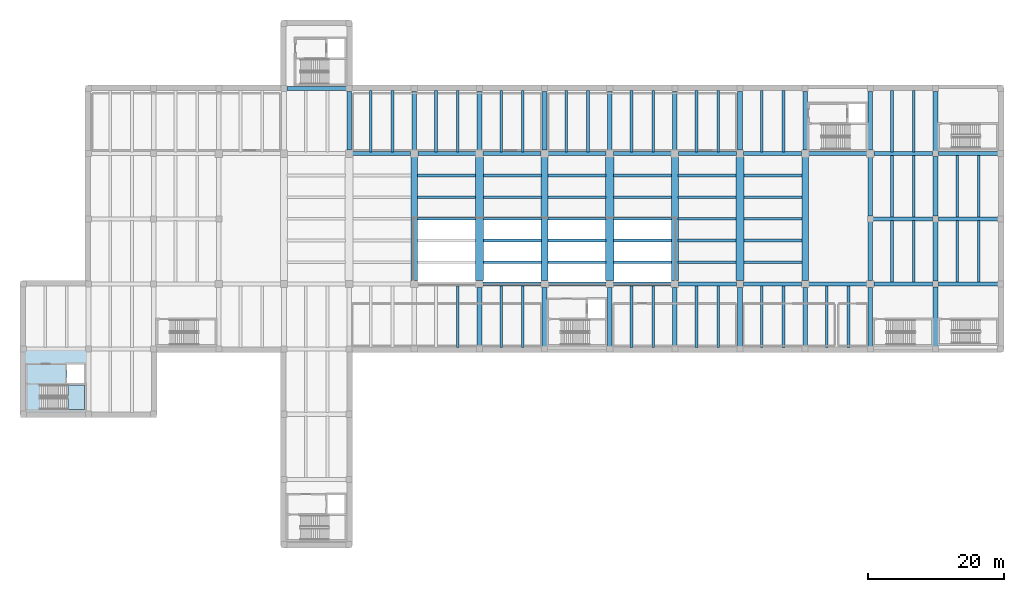
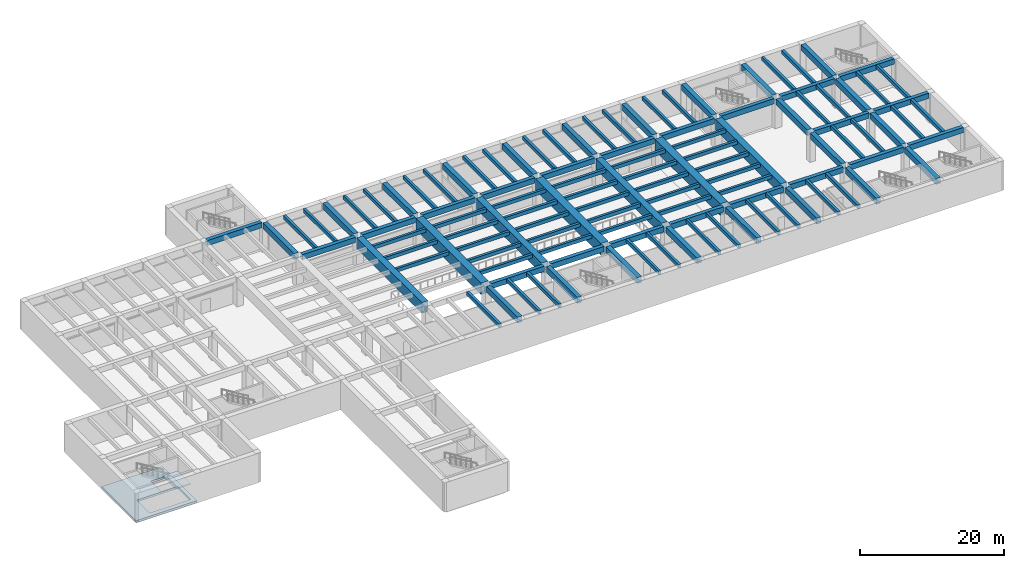
# One storey, part 2 of 19: 113 beams, 2 slabs, 1 element without a shape of its own.
"""IFC4 building model written with IfcOpenShell, lengths in metres."""

import ifcopenshell
import ifcopenshell.guid

model = None  # the IFC model being written
_history = None  # IfcOwnerHistory: only IFC2X3 demands one
_inside = {}  # id of a spatial element -> (the spatial element, [elements in it])
_under = {}  # id of a project, library or spatial element -> (it, [spatial elements below it])
_declared = {}  # id of a project -> (the project, [libraries it declares])
_typed = {}  # id of a type object -> (the type object, [elements of that type])
_made_of = {}  # id of a material, layer set ... -> (it, [elements and type objects made of it])


def new_model(schema):
    """Start an empty IFC model of exactly this schema.

    Asked for "IFC4X3", IfcOpenShell would pick the latest addendum, in which some entities
    have other attributes; the version numbers below select the first issue.
    IFC2X3 requires an IfcOwnerHistory on every rooted entity: one is made here for all.
    """
    global model, _history
    if schema == "IFC4X3":
        model = ifcopenshell.file(schema_version=(4, 3, 0, 0))
    else:
        model = ifcopenshell.file(schema=schema)
    _inside.clear()
    _under.clear()
    _declared.clear()
    _typed.clear()
    _made_of.clear()
    _history = None
    if model.schema == "IFC2X3":
        org = make("IfcOrganization", Name="unknown")
        user = make(
            "IfcPersonAndOrganization",
            ThePerson=make("IfcPerson", FamilyName="unknown"),
            TheOrganization=org,
        )
        app = make(
            "IfcApplication",
            ApplicationDeveloper=org,
            Version="unknown",
            ApplicationFullName="unknown",
            ApplicationIdentifier="unknown",
        )
        _history = make(
            "IfcOwnerHistory",
            OwningUser=user,
            OwningApplication=app,
            ChangeAction="ADDED",
            CreationDate=0,
        )
    return model


def make(cls, **values):
    """One entity of the class cls with the attributes given. An attribute that is None is left unset."""
    return model.create_entity(
        cls, **{name: value for name, value in values.items() if value is not None}
    )


def rooted(cls, **values):
    """An entity with a GlobalId (a new one), such as an element, a storey or a relation."""
    return make(cls, GlobalId=ifcopenshell.guid.new(), OwnerHistory=_history, **values)


def si_unit(unit_type, name, prefix=None):
    """IfcSIUnit, for example si_unit("LENGTHUNIT", "METRE", prefix="MILLI")."""
    return make("IfcSIUnit", UnitType=unit_type, Prefix=prefix, Name=name)


def assignment(units):
    """IfcUnitAssignment: the units of a project."""
    return None if units is None else make("IfcUnitAssignment", Units=units)


def point(xyz):
    """IfcCartesianPoint."""
    return None if xyz is None else make("IfcCartesianPoint", Coordinates=xyz)


def direction(xyz):
    """IfcDirection."""
    return None if xyz is None else make("IfcDirection", DirectionRatios=xyz)


def frame(location, z_axis=None, x_axis=None):
    """IfcAxis2Placement3D, a coordinate frame: its origin and axes. An axis left out is left unset."""
    return make(
        "IfcAxis2Placement3D",
        Location=point(location),
        Axis=direction(z_axis),
        RefDirection=direction(x_axis),
    )


def frame_2d(location, x_axis=None):
    """IfcAxis2Placement2D, a coordinate frame in the plane: its origin and x axis."""
    return make(
        "IfcAxis2Placement2D", Location=point(location), RefDirection=direction(x_axis)
    )


def origin():
    """The frame at (0, 0, 0) with its axes left unset."""
    return frame((0.0, 0.0, 0.0))


def origin_2d():
    """The frame at (0, 0) in the plane with its x axis left unset."""
    return frame_2d((0.0, 0.0))


def place(relative_to, where):
    """IfcLocalPlacement: puts the frame where relative to a parent placement (None: the world)."""
    return make(
        "IfcLocalPlacement", PlacementRelTo=relative_to, RelativePlacement=where
    )


def context(
    kind, dimensions, precision=None, world=None, true_north=None, identifier=None
):
    """IfcGeometricRepresentationContext, for example the 3D "Model" context."""
    return make(
        "IfcGeometricRepresentationContext",
        ContextIdentifier=identifier,
        ContextType=kind,
        CoordinateSpaceDimension=dimensions,
        Precision=precision,
        WorldCoordinateSystem=world,
        TrueNorth=true_north,
    )


def subcontext(parent, identifier, kind, view, scale=None):
    """IfcGeometricRepresentationSubContext, for example "Body" below "Model"."""
    return make(
        "IfcGeometricRepresentationSubContext",
        ContextIdentifier=identifier,
        ContextType=kind,
        ParentContext=parent,
        TargetScale=scale,
        TargetView=view,
    )


def project(units=None, contexts=None):
    """IfcProject with its units and contexts."""
    return rooted(
        "IfcProject",
        Name="project",
        RepresentationContexts=contexts,
        UnitsInContext=assignment(units),
    )


def spatial(cls, under=None, at=None, **own):
    """A site, building, storey or space (cls), placed at a placement, below another one or the project."""
    s = rooted(cls, ObjectPlacement=at, **own)
    if under is not None:
        _under.setdefault(under.id(), (under, []))[1].append(s)
    return s


def polyline(points):
    """IfcPolyline through the points."""
    return make("IfcPolyline", Points=[point(p) for p in points])


def profile(cls, at=None, kind="AREA", **sizes):
    """A parametric profile (cls). Its sizes go by their IFC names, for example OverallWidth=200.0."""
    return make(cls, ProfileType=kind, Position=at, **sizes)


def rectangle(**sizes):
    """IfcRectangleProfileDef."""
    return profile("IfcRectangleProfileDef", **sizes)


def outline(outer, holes=None, kind="AREA"):
    """IfcArbitraryClosedProfileDef: a profile drawn as a closed curve; with holes, ...WithVoids."""
    if holes is None:
        return make("IfcArbitraryClosedProfileDef", ProfileType=kind, OuterCurve=outer)
    return make(
        "IfcArbitraryProfileDefWithVoids",
        ProfileType=kind,
        OuterCurve=outer,
        InnerCurves=holes,
    )


def extrude(swept, where, along, depth):
    """IfcExtrudedAreaSolid: the profile swept, set in the frame where, extruded along a direction by depth."""
    return make(
        "IfcExtrudedAreaSolid",
        SweptArea=swept,
        Position=where,
        ExtrudedDirection=direction(along),
        Depth=depth,
    )


def shape(context_of_items, identifier, shape_type, items):
    """IfcShapeRepresentation: the items that make up one representation, for example the "Body"."""
    return make(
        "IfcShapeRepresentation",
        ContextOfItems=context_of_items,
        RepresentationIdentifier=identifier,
        RepresentationType=shape_type,
        Items=items,
    )


def material(Name=None, Category=None):
    """IfcMaterial."""
    return make("IfcMaterial", Name=Name, Category=Category)


def layer(
    of_material, thickness, ventilated=None, Name=None, Category=None, Priority=None
):
    """IfcMaterialLayer: one layer of a wall or slab, of a material (None: an air gap)."""
    return make(
        "IfcMaterialLayer",
        Material=of_material,
        LayerThickness=thickness,
        IsVentilated=ventilated,
        Name=Name,
        Category=Category,
        Priority=Priority,
    )


def layer_set(layers, Name=None):
    """IfcMaterialLayerSet."""
    return make("IfcMaterialLayerSet", MaterialLayers=layers, LayerSetName=Name)


def material_profile(
    of_material, cross_section, Name=None, Category=None, Priority=None
):
    """IfcMaterialProfile: a cross section and its material."""
    return make(
        "IfcMaterialProfile",
        Name=Name,
        Material=of_material,
        Profile=cross_section,
        Priority=Priority,
        Category=Category,
    )


def profile_set(profiles, Name=None, composite=None):
    """IfcMaterialProfileSet."""
    return make(
        "IfcMaterialProfileSet",
        Name=Name,
        MaterialProfiles=profiles,
        CompositeProfile=composite,
    )


def made_of(thing, what):
    """Note that an element or type object is made of a material, layer set ...; save() writes the relation."""
    if what is not None:
        _made_of.setdefault(what.id(), (what, []))[1].append(thing)
    return thing


def type_object(cls, material=None, **own):
    """A type object (cls), such as IfcWallType, which elements share."""
    return made_of(rooted(cls, **own), material)


def element(
    cls,
    number,
    at=None,
    inside=None,
    cuts=None,
    type_object=None,
    material=None,
    context=None,
    identifier="Body",
    shape_type=None,
    held_by="IfcProductDefinitionShape",
    body=None,
    shapes=None,
    **own,
):
    """One element of the class cls, such as IfcWall. Its Tag is "e" and its number.

    at: its placement. inside: the storey or other place that contains it. cuts: it is an
    opening in that element (IfcRelVoidsElement). A single representation is given by context,
    identifier, shape_type and body (its items); several are given by shapes. held_by: the class
    of the entity that holds the representations. save() writes the other relations.
    """
    e = rooted(cls, Tag="e%d" % number, ObjectPlacement=at, **own)
    if body is not None:
        shapes = [shape(context, identifier, shape_type, body)]
    if shapes is not None:
        e.Representation = make(held_by, Representations=shapes)
    if inside is not None:
        _inside.setdefault(inside.id(), (inside, []))[1].append(e)
    if cuts is not None:
        rooted(
            "IfcRelVoidsElement", RelatingBuildingElement=cuts, RelatedOpeningElement=e
        )
    if type_object is not None:
        _typed.setdefault(type_object.id(), (type_object, []))[1].append(e)
    return made_of(e, material)


def aggregate(whole, parts):
    """IfcRelAggregates: a whole, such as a stair, and the parts it consists of."""
    return rooted("IfcRelAggregates", RelatingObject=whole, RelatedObjects=parts)


def save(model, path):
    """Write the relations noted so far, then the file.

    IfcRelAggregates (storeys below a building ...), IfcRelContainedInSpatialStructure (elements
    in a storey), IfcRelDefinesByType, IfcRelAssociatesMaterial and IfcRelDeclares: one each for
    every whole, place, type object, material and project.
    """
    for whole, parts in _under.values():
        aggregate(whole, parts)
    for where, things in _inside.values():
        rooted(
            "IfcRelContainedInSpatialStructure",
            RelatedElements=things,
            RelatingStructure=where,
        )
    for kind, things in _typed.values():
        rooted("IfcRelDefinesByType", RelatedObjects=things, RelatingType=kind)
    for what, things in _made_of.values():
        rooted("IfcRelAssociatesMaterial", RelatedObjects=things, RelatingMaterial=what)
    for by, libraries in _declared.values():
        rooted("IfcRelDeclares", RelatingContext=by, RelatedDefinitions=libraries)
    model.write(path)


model = new_model("IFC4")

# Units and contexts
model_context = context("Model", 3, precision=1e-05, world=origin(), true_north=direction((0.0, 1.0)))
body_context = subcontext(model_context, "Body", "Model", "MODEL_VIEW")
ifc_project = project(units=[si_unit("LENGTHUNIT", "METRE"), si_unit("AREAUNIT", "SQUARE_METRE"), si_unit("VOLUMEUNIT", "CUBIC_METRE"), si_unit("PLANEANGLEUNIT", "RADIAN"), si_unit("MASSUNIT", "GRAM", prefix="KILO")], contexts=[model_context])

# Site, building, storey
site_placement = place(None, origin())
site = spatial("IfcSite", under=ifc_project, at=site_placement, CompositionType="ELEMENT")
building_placement = place(site_placement, origin())
building = spatial("IfcBuilding", under=site, at=building_placement, Name="Coralgate Yard Interchange", CompositionType="ELEMENT")
storey_placement = place(building_placement, frame((0.0, 0.0, -5.39990234375)))
storey = spatial("IfcBuildingStorey", under=building, at=storey_placement, Name="B1", CompositionType="ELEMENT", Elevation=-5.39990234375)

# Beams
ifc_material = material(Name="Concrete C40/50", Category="concrete")
ifc_material_profile_1 = material_profile(ifc_material, rectangle(XDim=0.699951171875, YDim=1.0, at=origin_2d()), Name="RC 700x1000")
ifc_profile_set_1 = profile_set([ifc_material_profile_1], Name="Concrete C40/50")
beam_type_1 = type_object("IfcBeamType", Name="BM-CB-2", PredefinedType="BEAM", material=ifc_profile_set_1)
for number, where, z_axis, x_axis, name in (
    (1, (57.60009765625, 67.719970703125, 4.5), (0.0, 1.0, 0.0), (-1.0, 0.0, 0.0), "B1 primary grid girder X6 Y7-8"),
    (2, (67.199951171875, 67.719970703125, 4.5), (0.0, 1.0, 0.0), (-1.0, 0.0, 0.0), "B1 primary grid girder X7 Y7-8"),
    (3, (76.800048828125, 38.820068359375, 4.5), (0.0, 1.0, 0.0), (-1.0, 0.0, 0.0), "B1 primary grid girder X8 Y4-5"),
    (4, (76.800048828125, 67.719970703125, 4.5), (0.0, 1.0, 0.0), (-1.0, 0.0, 0.0), "B1 primary grid girder X8 Y7-8"),
    (5, (86.39990234375, 38.820068359375, 4.5), (0.0, 1.0, 0.0), (-1.0, 0.0, 0.0), "B1 primary grid girder X9 Y4-5"),
    (6, (86.39990234375, 67.719970703125, 4.5), (0.0, 1.0, 0.0), (-1.0, 0.0, 0.0), "B1 primary grid girder X9 Y7-8"),
    (7, (96.0, 38.820068359375, 4.5), (0.0, 1.0, 0.0), (-1.0, 0.0, 0.0), "B1 primary grid girder X10 Y4-5"),
    (8, (96.0, 67.719970703125, 4.5), (0.0, 1.0, 0.0), (-1.0, 0.0, 0.0), "B1 primary grid girder X10 Y7-8"),
    (9, (105.60009765625, 38.820068359375, 4.5), (0.0, 1.0, 0.0), (-1.0, 0.0, 0.0), "B1 primary grid girder X11 Y4-5"),
    (10, (105.60009765625, 67.719970703125, 4.5), (0.0, 1.0, 0.0), (-1.0, 0.0, 0.0), "B1 primary grid girder X11 Y7-8"),
    (11, (115.199951171875, 38.820068359375, 4.5), (0.0, 1.0, 0.0), (-1.0, 0.0, 0.0), "B1 primary grid girder X12 Y4-5"),
    (12, (115.199951171875, 67.719970703125, 4.5), (0.0, 1.0, 0.0), (-1.0, 0.0, 0.0), "B1 primary grid girder X12 Y7-8"),
    (13, (124.800048828125, 38.820068359375, 4.5), (0.0, 1.0, 0.0), (-1.0, 0.0, 0.0), "B1 primary grid girder X13 Y4-5"),
    (14, (124.800048828125, 67.719970703125, 4.5), (0.0, 1.0, 0.0), (-1.0, 0.0, 0.0), "B1 primary grid girder X13 Y7-8"),
    (15, (134.39990234375, 38.820068359375, 4.5), (0.0, 1.0, 0.0), (-1.0, 0.0, 0.0), "B1 primary grid girder X14 Y4-5"),
    (16, (134.39990234375, 48.52001953125, 4.5), (0.0, 1.0, 0.0), (-1.0, 0.0, 0.0), "B1 primary grid girder X14 Y5-6"),
    (17, (134.39990234375, 58.02001953125, 4.5), (0.0, 1.0, 0.0), (-1.0, 0.0, 0.0), "B1 primary grid girder X14 Y6-7"),
    (18, (134.39990234375, 67.719970703125, 4.5), (0.0, 1.0, 0.0), (-1.0, 0.0, 0.0), "B1 primary grid girder X14 Y7-8"),
):
    element("IfcBeam", number, at=place(storey_placement, frame(where, z_axis=z_axis, x_axis=x_axis)), inside=storey, type_object=beam_type_1, Name=name, PredefinedType="BEAM", context=body_context, shape_type="SweptSolid", body=[
        extrude(rectangle(XDim=0.699951171875, YDim=1.0, at=origin_2d()), origin(), (0.0, 0.0, 1.0), 8.659912109375),
    ])
for number, where, z_axis, x_axis, name in (
    (19, (144.0, 38.820068359375, 4.5), (0.0, 1.0, 0.0), (-1.0, 0.0, 0.0), "B1 primary grid girder X15 Y4-5"),
    (20, (144.0, 48.419921875, 4.5), (0.0, 1.0, 0.0), (-1.0, 0.0, 0.0), "B1 primary grid girder X15 Y5-6"),
    (21, (144.0, 58.02001953125, 4.5), (0.0, 1.0, 0.0), (-1.0, 0.0, 0.0), "B1 primary grid girder X15 Y6-7"),
):
    element("IfcBeam", number, at=place(storey_placement, frame(where, z_axis=z_axis, x_axis=x_axis)), inside=storey, type_object=beam_type_1, Name=name, PredefinedType="BEAM", context=body_context, shape_type="SweptSolid", body=[
        extrude(rectangle(XDim=0.699951171875, YDim=1.0, at=origin_2d()), origin(), (0.0, 0.0, 1.0), 8.760009765625),
    ])
beam_1_placement = place(storey_placement, frame((144.0, 67.6201171875, 4.5), z_axis=(0.0, 1.0, 0.0), x_axis=(-1.0, 0.0, 0.0)))
element("IfcBeam", 22, at=beam_1_placement, inside=storey, type_object=beam_type_1, Name="B1 primary grid girder X15 Y7-8", PredefinedType="BEAM", context=body_context, shape_type="SweptSolid", body=[
    extrude(rectangle(XDim=0.699951171875, YDim=1.0, at=origin_2d()), origin(), (0.0, 0.0, 1.0), 8.759765625),
])
ifc_material_profile_2 = material_profile(ifc_material, rectangle(XDim=0.60009765625, YDim=0.89990234375, at=origin_2d()), Name="RC 600x900")
ifc_profile_set_2 = profile_set([ifc_material_profile_2], Name="Concrete C40/50")
beam_type_2 = type_object("IfcBeamType", Name="BM-CB-3", PredefinedType="BEAM", material=ifc_profile_set_2)
beam_2_placement = place(storey_placement, frame((77.320068359375, 48.0, 4.5498046875), z_axis=(1.0, 0.0, 0.0), x_axis=(0.0, 1.0, 0.0)))
element("IfcBeam", 23, at=beam_2_placement, inside=storey, type_object=beam_type_2, Name="B1 primary grid beam Y5 X8-9", PredefinedType="BEAM", context=body_context, shape_type="SweptSolid", body=[
    extrude(rectangle(XDim=0.60009765625, YDim=0.89990234375, at=origin_2d()), origin(), (0.0, 0.0, 1.0), 8.559814453125),
])
for number, where, z_axis, x_axis, name in (
    (24, (86.919921875, 48.0, 4.5498046875), (1.0, 0.0, 0.0), (0.0, 1.0, 0.0), "B1 primary grid beam Y5 X9-10"),
    (25, (96.52001953125, 48.0, 4.5498046875), (1.0, 0.0, 0.0), (0.0, 1.0, 0.0), "B1 primary grid beam Y5 X10-11"),
):
    element("IfcBeam", number, at=place(storey_placement, frame(where, z_axis=z_axis, x_axis=x_axis)), inside=storey, type_object=beam_type_2, Name=name, PredefinedType="BEAM", context=body_context, shape_type="SweptSolid", body=[
        extrude(rectangle(XDim=0.60009765625, YDim=0.89990234375, at=origin_2d()), origin(), (0.0, 0.0, 1.0), 8.56005859375),
    ])
beam_3_placement = place(storey_placement, frame((106.1201171875, 48.0, 4.5498046875), z_axis=(1.0, 0.0, 0.0), x_axis=(0.0, 1.0, 0.0)))
element("IfcBeam", 26, at=beam_3_placement, inside=storey, type_object=beam_type_2, Name="B1 primary grid beam Y5 X11-12", PredefinedType="BEAM", context=body_context, shape_type="SweptSolid", body=[
    extrude(rectangle(XDim=0.60009765625, YDim=0.89990234375, at=origin_2d()), origin(), (0.0, 0.0, 1.0), 8.559814453125),
])
beam_4_placement = place(storey_placement, frame((115.719970703125, 48.0, 4.5498046875), z_axis=(1.0, 0.0, 0.0), x_axis=(0.0, 1.0, 0.0)))
element("IfcBeam", 27, at=beam_4_placement, inside=storey, type_object=beam_type_2, Name="B1 primary grid beam Y5 X12-13", PredefinedType="BEAM", context=body_context, shape_type="SweptSolid", body=[
    extrude(rectangle(XDim=0.60009765625, YDim=0.89990234375, at=origin_2d()), origin(), (0.0, 0.0, 1.0), 8.56005859375),
])
beam_5_placement = place(storey_placement, frame((125.320068359375, 48.0, 4.5498046875), z_axis=(1.0, 0.0, 0.0), x_axis=(0.0, 1.0, 0.0)))
element("IfcBeam", 28, at=beam_5_placement, inside=storey, type_object=beam_type_2, Name="B1 primary grid beam Y5 X13-14", PredefinedType="BEAM", context=body_context, shape_type="SweptSolid", body=[
    extrude(rectangle(XDim=0.60009765625, YDim=0.89990234375, at=origin_2d()), origin(), (0.0, 0.0, 1.0), 8.559814453125),
])
beam_6_placement = place(storey_placement, frame((134.919921875, 48.0, 4.5498046875), z_axis=(1.0, 0.0, 0.0), x_axis=(0.0, 1.0, 0.0)))
element("IfcBeam", 29, at=beam_6_placement, inside=storey, type_object=beam_type_2, Name="B1 primary grid beam Y5 X14-15", PredefinedType="BEAM", context=body_context, shape_type="SweptSolid", body=[
    extrude(rectangle(XDim=0.60009765625, YDim=0.89990234375, at=origin_2d()), origin(), (0.0, 0.0, 1.0), 8.66015625),
])
for number, where, z_axis, x_axis, name in (
    (30, (144.419921875, 48.0, 4.5498046875), (1.0, 0.0, 0.0), (0.0, 1.0, 0.0), "B1 primary grid beam Y5 X15-16"),
    (31, (134.820068359375, 57.60009765625, 4.5498046875), (1.0, 0.0, 0.0), (0.0, 1.0, 0.0), "B1 primary grid beam Y6 X14-15"),
    (32, (144.419921875, 57.60009765625, 4.5498046875), (1.0, 0.0, 0.0), (0.0, 1.0, 0.0), "B1 primary grid beam Y6 X15-16"),
):
    element("IfcBeam", number, at=place(storey_placement, frame(where, z_axis=z_axis, x_axis=x_axis)), inside=storey, type_object=beam_type_2, Name=name, PredefinedType="BEAM", context=body_context, shape_type="SweptSolid", body=[
        extrude(rectangle(XDim=0.60009765625, YDim=0.89990234375, at=origin_2d()), origin(), (0.0, 0.0, 1.0), 8.760009765625),
    ])
beam_7_placement = place(storey_placement, frame((58.1201171875, 67.199951171875, 4.5498046875), z_axis=(1.0, 0.0, 0.0), x_axis=(0.0, 1.0, 0.0)))
element("IfcBeam", 33, at=beam_7_placement, inside=storey, type_object=beam_type_2, Name="B1 primary grid beam Y7 X6-7", PredefinedType="BEAM", context=body_context, shape_type="SweptSolid", body=[
    extrude(rectangle(XDim=0.60009765625, YDim=0.89990234375, at=origin_2d()), origin(), (0.0, 0.0, 1.0), 8.559814453125),
])
beam_8_placement = place(storey_placement, frame((67.719970703125, 67.199951171875, 4.5498046875), z_axis=(1.0, 0.0, 0.0), x_axis=(0.0, 1.0, 0.0)))
element("IfcBeam", 34, at=beam_8_placement, inside=storey, type_object=beam_type_2, Name="B1 primary grid beam Y7 X7-8", PredefinedType="BEAM", context=body_context, shape_type="SweptSolid", body=[
    extrude(rectangle(XDim=0.60009765625, YDim=0.89990234375, at=origin_2d()), origin(), (0.0, 0.0, 1.0), 8.56005859375),
])
beam_9_placement = place(storey_placement, frame((77.320068359375, 67.199951171875, 4.5498046875), z_axis=(1.0, 0.0, 0.0), x_axis=(0.0, 1.0, 0.0)))
element("IfcBeam", 35, at=beam_9_placement, inside=storey, type_object=beam_type_2, Name="B1 primary grid beam Y7 X8-9", PredefinedType="BEAM", context=body_context, shape_type="SweptSolid", body=[
    extrude(rectangle(XDim=0.60009765625, YDim=0.89990234375, at=origin_2d()), origin(), (0.0, 0.0, 1.0), 8.559814453125),
])
for number, where, z_axis, x_axis, name in (
    (36, (86.919921875, 67.199951171875, 4.5498046875), (1.0, 0.0, 0.0), (0.0, 1.0, 0.0), "B1 primary grid beam Y7 X9-10"),
    (37, (96.52001953125, 67.199951171875, 4.5498046875), (1.0, 0.0, 0.0), (0.0, 1.0, 0.0), "B1 primary grid beam Y7 X10-11"),
):
    element("IfcBeam", number, at=place(storey_placement, frame(where, z_axis=z_axis, x_axis=x_axis)), inside=storey, type_object=beam_type_2, Name=name, PredefinedType="BEAM", context=body_context, shape_type="SweptSolid", body=[
        extrude(rectangle(XDim=0.60009765625, YDim=0.89990234375, at=origin_2d()), origin(), (0.0, 0.0, 1.0), 8.56005859375),
    ])
beam_10_placement = place(storey_placement, frame((106.1201171875, 67.199951171875, 4.5498046875), z_axis=(1.0, 0.0, 0.0), x_axis=(0.0, 1.0, 0.0)))
element("IfcBeam", 38, at=beam_10_placement, inside=storey, type_object=beam_type_2, Name="B1 primary grid beam Y7 X11-12", PredefinedType="BEAM", context=body_context, shape_type="SweptSolid", body=[
    extrude(rectangle(XDim=0.60009765625, YDim=0.89990234375, at=origin_2d()), origin(), (0.0, 0.0, 1.0), 8.559814453125),
])
beam_11_placement = place(storey_placement, frame((115.719970703125, 67.199951171875, 4.5498046875), z_axis=(1.0, 0.0, 0.0), x_axis=(0.0, 1.0, 0.0)))
element("IfcBeam", 39, at=beam_11_placement, inside=storey, type_object=beam_type_2, Name="B1 primary grid beam Y7 X12-13", PredefinedType="BEAM", context=body_context, shape_type="SweptSolid", body=[
    extrude(rectangle(XDim=0.60009765625, YDim=0.89990234375, at=origin_2d()), origin(), (0.0, 0.0, 1.0), 8.56005859375),
])
beam_12_placement = place(storey_placement, frame((125.320068359375, 67.199951171875, 4.5498046875), z_axis=(1.0, 0.0, 0.0), x_axis=(0.0, 1.0, 0.0)))
element("IfcBeam", 40, at=beam_12_placement, inside=storey, type_object=beam_type_2, Name="B1 primary grid beam Y7 X13-14", PredefinedType="BEAM", context=body_context, shape_type="SweptSolid", body=[
    extrude(rectangle(XDim=0.60009765625, YDim=0.89990234375, at=origin_2d()), origin(), (0.0, 0.0, 1.0), 8.559814453125),
])
beam_13_placement = place(storey_placement, frame((134.919921875, 67.199951171875, 4.5498046875), z_axis=(1.0, 0.0, 0.0), x_axis=(0.0, 1.0, 0.0)))
element("IfcBeam", 41, at=beam_13_placement, inside=storey, type_object=beam_type_2, Name="B1 primary grid beam Y7 X14-15", PredefinedType="BEAM", context=body_context, shape_type="SweptSolid", body=[
    extrude(rectangle(XDim=0.60009765625, YDim=0.89990234375, at=origin_2d()), origin(), (0.0, 0.0, 1.0), 8.66015625),
])
for number, where, z_axis, x_axis, name in (
    (42, (144.419921875, 67.199951171875, 4.5498046875), (1.0, 0.0, 0.0), (0.0, 1.0, 0.0), "B1 primary grid beam Y7 X15-16"),
    (43, (48.419921875, 76.800048828125, 4.5498046875), (1.0, 0.0, 0.0), (0.0, 1.0, 0.0), "B1 primary grid beam Y8 X5-6"),
):
    element("IfcBeam", number, at=place(storey_placement, frame(where, z_axis=z_axis, x_axis=x_axis)), inside=storey, type_object=beam_type_2, Name=name, PredefinedType="BEAM", context=body_context, shape_type="SweptSolid", body=[
        extrude(rectangle(XDim=0.60009765625, YDim=0.89990234375, at=origin_2d()), origin(), (0.0, 0.0, 1.0), 8.760009765625),
    ])
ifc_material_profile_3 = material_profile(ifc_material, rectangle(XDim=0.39990234375, YDim=0.60009765625, at=origin_2d()), Name="RC 400x600")
ifc_profile_set_3 = profile_set([ifc_material_profile_3], Name="Concrete C40/50")
beam_type_3 = type_object("IfcBeamType", Name="BM-CB-5", PredefinedType="BEAM", material=ifc_profile_set_3)
for number, where, z_axis, x_axis, name in (
    (44, (60.800048828125, 67.469970703125, 4.699951171875), (0.0, 1.0, 0.0), (-1.0, 0.0, 0.0), "B1 composite floor joist 6-7-1"),
    (45, (64.0, 67.469970703125, 4.699951171875), (0.0, 1.0, 0.0), (-1.0, 0.0, 0.0), "B1 composite floor joist 6-7-2"),
    (46, (73.60009765625, 38.669921875, 4.699951171875), (0.0, 1.0, 0.0), (-1.0, 0.0, 0.0), "B1 composite floor joist 7-4-2"),
):
    element("IfcBeam", number, at=place(storey_placement, frame(where, z_axis=z_axis, x_axis=x_axis)), inside=storey, type_object=beam_type_3, Name=name, PredefinedType="BEAM", context=body_context, shape_type="SweptSolid", body=[
        extrude(rectangle(XDim=0.39990234375, YDim=0.60009765625, at=origin_2d()), origin(), (0.0, 0.0, 1.0), 9.06005859375),
    ])
for number, where, z_axis, x_axis, name in (
    (47, (67.669921875, 57.60009765625, 4.699951171875), (1.0, 0.0, 0.0), (0.0, 1.0, 0.0), "B1 metro bay secondary beam 7-3"),
    (48, (67.669921875, 60.800048828125, 4.699951171875), (1.0, 0.0, 0.0), (0.0, 1.0, 0.0), "B1 metro bay secondary beam 7-4"),
    (49, (67.669921875, 64.0, 4.699951171875), (1.0, 0.0, 0.0), (0.0, 1.0, 0.0), "B1 metro bay secondary beam 7-5"),
):
    element("IfcBeam", number, at=place(storey_placement, frame(where, z_axis=z_axis, x_axis=x_axis)), inside=storey, type_object=beam_type_3, Name=name, PredefinedType="BEAM", context=body_context, shape_type="SweptSolid", body=[
        extrude(rectangle(XDim=0.39990234375, YDim=0.60009765625, at=origin_2d()), origin(), (0.0, 0.0, 1.0), 8.56005859375),
    ])
for number, where, z_axis, x_axis, name in (
    (50, (70.39990234375, 67.469970703125, 4.699951171875), (0.0, 1.0, 0.0), (-1.0, 0.0, 0.0), "B1 composite floor joist 7-7-1"),
    (51, (73.60009765625, 67.469970703125, 4.699951171875), (0.0, 1.0, 0.0), (-1.0, 0.0, 0.0), "B1 composite floor joist 7-7-2"),
    (52, (80.0, 38.669921875, 4.699951171875), (0.0, 1.0, 0.0), (-1.0, 0.0, 0.0), "B1 composite floor joist 8-4-1"),
    (53, (83.199951171875, 38.669921875, 4.699951171875), (0.0, 1.0, 0.0), (-1.0, 0.0, 0.0), "B1 composite floor joist 8-4-2"),
):
    element("IfcBeam", number, at=place(storey_placement, frame(where, z_axis=z_axis, x_axis=x_axis)), inside=storey, type_object=beam_type_3, Name=name, PredefinedType="BEAM", context=body_context, shape_type="SweptSolid", body=[
        extrude(rectangle(XDim=0.39990234375, YDim=0.60009765625, at=origin_2d()), origin(), (0.0, 0.0, 1.0), 9.06005859375),
    ])
for number, where, z_axis, x_axis, name in (
    (54, (77.3701171875, 51.199951171875, 4.699951171875), (1.0, 0.0, 0.0), (0.0, 1.0, 0.0), "B1 metro bay secondary beam 8-1"),
    (55, (77.3701171875, 54.39990234375, 4.699951171875), (1.0, 0.0, 0.0), (0.0, 1.0, 0.0), "B1 metro bay secondary beam 8-2"),
    (56, (77.3701171875, 57.60009765625, 4.699951171875), (1.0, 0.0, 0.0), (0.0, 1.0, 0.0), "B1 metro bay secondary beam 8-3"),
    (57, (77.3701171875, 60.800048828125, 4.699951171875), (1.0, 0.0, 0.0), (0.0, 1.0, 0.0), "B1 metro bay secondary beam 8-4"),
    (58, (77.3701171875, 64.0, 4.699951171875), (1.0, 0.0, 0.0), (0.0, 1.0, 0.0), "B1 metro bay secondary beam 8-5"),
):
    element("IfcBeam", number, at=place(storey_placement, frame(where, z_axis=z_axis, x_axis=x_axis)), inside=storey, type_object=beam_type_3, Name=name, PredefinedType="BEAM", context=body_context, shape_type="SweptSolid", body=[
        extrude(rectangle(XDim=0.39990234375, YDim=0.60009765625, at=origin_2d()), origin(), (0.0, 0.0, 1.0), 8.559814453125),
    ])
for number, where, z_axis, x_axis, name in (
    (59, (80.0, 67.469970703125, 4.699951171875), (0.0, 1.0, 0.0), (-1.0, 0.0, 0.0), "B1 composite floor joist 8-7-1"),
    (60, (83.199951171875, 67.469970703125, 4.699951171875), (0.0, 1.0, 0.0), (-1.0, 0.0, 0.0), "B1 composite floor joist 8-7-2"),
):
    element("IfcBeam", number, at=place(storey_placement, frame(where, z_axis=z_axis, x_axis=x_axis)), inside=storey, type_object=beam_type_3, Name=name, PredefinedType="BEAM", context=body_context, shape_type="SweptSolid", body=[
        extrude(rectangle(XDim=0.39990234375, YDim=0.60009765625, at=origin_2d()), origin(), (0.0, 0.0, 1.0), 9.06005859375),
    ])
for number, where, z_axis, x_axis, name in (
    (61, (86.8701171875, 51.199951171875, 4.699951171875), (1.0, 0.0, 0.0), (0.0, 1.0, 0.0), "B1 metro bay secondary beam 9-1"),
    (62, (86.8701171875, 54.39990234375, 4.699951171875), (1.0, 0.0, 0.0), (0.0, 1.0, 0.0), "B1 metro bay secondary beam 9-2"),
    (63, (86.8701171875, 57.60009765625, 4.699951171875), (1.0, 0.0, 0.0), (0.0, 1.0, 0.0), "B1 metro bay secondary beam 9-3"),
    (64, (86.8701171875, 60.800048828125, 4.699951171875), (1.0, 0.0, 0.0), (0.0, 1.0, 0.0), "B1 metro bay secondary beam 9-4"),
    (65, (86.8701171875, 64.0, 4.699951171875), (1.0, 0.0, 0.0), (0.0, 1.0, 0.0), "B1 metro bay secondary beam 9-5"),
):
    element("IfcBeam", number, at=place(storey_placement, frame(where, z_axis=z_axis, x_axis=x_axis)), inside=storey, type_object=beam_type_3, Name=name, PredefinedType="BEAM", context=body_context, shape_type="SweptSolid", body=[
        extrude(rectangle(XDim=0.39990234375, YDim=0.60009765625, at=origin_2d()), origin(), (0.0, 0.0, 1.0), 8.559814453125),
    ])
for number, where, z_axis, x_axis, name in (
    (66, (89.60009765625, 67.469970703125, 4.699951171875), (0.0, 1.0, 0.0), (-1.0, 0.0, 0.0), "B1 composite floor joist 9-7-1"),
    (67, (92.800048828125, 67.469970703125, 4.699951171875), (0.0, 1.0, 0.0), (-1.0, 0.0, 0.0), "B1 composite floor joist 9-7-2"),
    (68, (99.199951171875, 38.669921875, 4.699951171875), (0.0, 1.0, 0.0), (-1.0, 0.0, 0.0), "B1 composite floor joist 10-4-1"),
    (69, (102.39990234375, 38.669921875, 4.699951171875), (0.0, 1.0, 0.0), (-1.0, 0.0, 0.0), "B1 composite floor joist 10-4-2"),
):
    element("IfcBeam", number, at=place(storey_placement, frame(where, z_axis=z_axis, x_axis=x_axis)), inside=storey, type_object=beam_type_3, Name=name, PredefinedType="BEAM", context=body_context, shape_type="SweptSolid", body=[
        extrude(rectangle(XDim=0.39990234375, YDim=0.60009765625, at=origin_2d()), origin(), (0.0, 0.0, 1.0), 9.06005859375),
    ])
for number, where, z_axis, x_axis, name in (
    (70, (96.570068359375, 51.199951171875, 4.699951171875), (1.0, 0.0, 0.0), (0.0, 1.0, 0.0), "B1 metro bay secondary beam 10-1"),
    (71, (96.570068359375, 54.39990234375, 4.699951171875), (1.0, 0.0, 0.0), (0.0, 1.0, 0.0), "B1 metro bay secondary beam 10-2"),
    (72, (96.570068359375, 57.60009765625, 4.699951171875), (1.0, 0.0, 0.0), (0.0, 1.0, 0.0), "B1 metro bay secondary beam 10-3"),
    (73, (96.570068359375, 60.800048828125, 4.699951171875), (1.0, 0.0, 0.0), (0.0, 1.0, 0.0), "B1 metro bay secondary beam 10-4"),
    (74, (96.570068359375, 64.0, 4.699951171875), (1.0, 0.0, 0.0), (0.0, 1.0, 0.0), "B1 metro bay secondary beam 10-5"),
):
    element("IfcBeam", number, at=place(storey_placement, frame(where, z_axis=z_axis, x_axis=x_axis)), inside=storey, type_object=beam_type_3, Name=name, PredefinedType="BEAM", context=body_context, shape_type="SweptSolid", body=[
        extrude(rectangle(XDim=0.39990234375, YDim=0.60009765625, at=origin_2d()), origin(), (0.0, 0.0, 1.0), 8.559814453125),
    ])
for number, where, z_axis, x_axis, name in (
    (75, (99.199951171875, 67.469970703125, 4.699951171875), (0.0, 1.0, 0.0), (-1.0, 0.0, 0.0), "B1 composite floor joist 10-7-1"),
    (76, (102.39990234375, 67.469970703125, 4.699951171875), (0.0, 1.0, 0.0), (-1.0, 0.0, 0.0), "B1 composite floor joist 10-7-2"),
    (77, (108.800048828125, 38.669921875, 4.699951171875), (0.0, 1.0, 0.0), (-1.0, 0.0, 0.0), "B1 composite floor joist 11-4-1"),
    (78, (112.0, 38.669921875, 4.699951171875), (0.0, 1.0, 0.0), (-1.0, 0.0, 0.0), "B1 composite floor joist 11-4-2"),
):
    element("IfcBeam", number, at=place(storey_placement, frame(where, z_axis=z_axis, x_axis=x_axis)), inside=storey, type_object=beam_type_3, Name=name, PredefinedType="BEAM", context=body_context, shape_type="SweptSolid", body=[
        extrude(rectangle(XDim=0.39990234375, YDim=0.60009765625, at=origin_2d()), origin(), (0.0, 0.0, 1.0), 9.06005859375),
    ])
for number, where, z_axis, x_axis, name in (
    (79, (106.070068359375, 51.199951171875, 4.699951171875), (1.0, 0.0, 0.0), (0.0, 1.0, 0.0), "B1 metro bay secondary beam 11-1"),
    (80, (106.070068359375, 54.39990234375, 4.699951171875), (1.0, 0.0, 0.0), (0.0, 1.0, 0.0), "B1 metro bay secondary beam 11-2"),
    (81, (106.070068359375, 57.60009765625, 4.699951171875), (1.0, 0.0, 0.0), (0.0, 1.0, 0.0), "B1 metro bay secondary beam 11-3"),
    (82, (106.070068359375, 60.800048828125, 4.699951171875), (1.0, 0.0, 0.0), (0.0, 1.0, 0.0), "B1 metro bay secondary beam 11-4"),
    (83, (106.070068359375, 64.0, 4.699951171875), (1.0, 0.0, 0.0), (0.0, 1.0, 0.0), "B1 metro bay secondary beam 11-5"),
):
    element("IfcBeam", number, at=place(storey_placement, frame(where, z_axis=z_axis, x_axis=x_axis)), inside=storey, type_object=beam_type_3, Name=name, PredefinedType="BEAM", context=body_context, shape_type="SweptSolid", body=[
        extrude(rectangle(XDim=0.39990234375, YDim=0.60009765625, at=origin_2d()), origin(), (0.0, 0.0, 1.0), 8.559814453125),
    ])
for number, where, z_axis, x_axis, name in (
    (84, (108.800048828125, 67.469970703125, 4.699951171875), (0.0, 1.0, 0.0), (-1.0, 0.0, 0.0), "B1 composite floor joist 11-7-1"),
    (85, (112.0, 67.469970703125, 4.699951171875), (0.0, 1.0, 0.0), (-1.0, 0.0, 0.0), "B1 composite floor joist 11-7-2"),
    (86, (118.39990234375, 38.669921875, 4.699951171875), (0.0, 1.0, 0.0), (-1.0, 0.0, 0.0), "B1 composite floor joist 12-4-1"),
    (87, (121.60009765625, 38.669921875, 4.699951171875), (0.0, 1.0, 0.0), (-1.0, 0.0, 0.0), "B1 composite floor joist 12-4-2"),
):
    element("IfcBeam", number, at=place(storey_placement, frame(where, z_axis=z_axis, x_axis=x_axis)), inside=storey, type_object=beam_type_3, Name=name, PredefinedType="BEAM", context=body_context, shape_type="SweptSolid", body=[
        extrude(rectangle(XDim=0.39990234375, YDim=0.60009765625, at=origin_2d()), origin(), (0.0, 0.0, 1.0), 9.06005859375),
    ])
for number, where, z_axis, x_axis, name in (
    (88, (115.77001953125, 51.199951171875, 4.699951171875), (1.0, 0.0, 0.0), (0.0, 1.0, 0.0), "B1 metro bay secondary beam 12-1"),
    (89, (115.77001953125, 54.39990234375, 4.699951171875), (1.0, 0.0, 0.0), (0.0, 1.0, 0.0), "B1 metro bay secondary beam 12-2"),
    (90, (115.77001953125, 57.60009765625, 4.699951171875), (1.0, 0.0, 0.0), (0.0, 1.0, 0.0), "B1 metro bay secondary beam 12-3"),
    (91, (115.77001953125, 60.800048828125, 4.699951171875), (1.0, 0.0, 0.0), (0.0, 1.0, 0.0), "B1 metro bay secondary beam 12-4"),
    (92, (115.77001953125, 64.0, 4.699951171875), (1.0, 0.0, 0.0), (0.0, 1.0, 0.0), "B1 metro bay secondary beam 12-5"),
):
    element("IfcBeam", number, at=place(storey_placement, frame(where, z_axis=z_axis, x_axis=x_axis)), inside=storey, type_object=beam_type_3, Name=name, PredefinedType="BEAM", context=body_context, shape_type="SweptSolid", body=[
        extrude(rectangle(XDim=0.39990234375, YDim=0.60009765625, at=origin_2d()), origin(), (0.0, 0.0, 1.0), 8.56005859375),
    ])
for number, where, z_axis, x_axis, name in (
    (93, (118.39990234375, 67.469970703125, 4.699951171875), (0.0, 1.0, 0.0), (-1.0, 0.0, 0.0), "B1 composite floor joist 12-7-1"),
    (94, (121.60009765625, 67.469970703125, 4.699951171875), (0.0, 1.0, 0.0), (-1.0, 0.0, 0.0), "B1 composite floor joist 12-7-2"),
    (95, (128.0, 38.669921875, 4.699951171875), (0.0, 1.0, 0.0), (-1.0, 0.0, 0.0), "B1 composite floor joist 13-4-1"),
    (96, (131.199951171875, 38.669921875, 4.699951171875), (0.0, 1.0, 0.0), (-1.0, 0.0, 0.0), "B1 composite floor joist 13-4-2"),
    (97, (137.60009765625, 48.27001953125, 4.699951171875), (0.0, 1.0, 0.0), (-1.0, 0.0, 0.0), "B1 composite floor joist 14-5-1"),
    (98, (140.800048828125, 48.27001953125, 4.699951171875), (0.0, 1.0, 0.0), (-1.0, 0.0, 0.0), "B1 composite floor joist 14-5-2"),
):
    element("IfcBeam", number, at=place(storey_placement, frame(where, z_axis=z_axis, x_axis=x_axis)), inside=storey, type_object=beam_type_3, Name=name, PredefinedType="BEAM", context=body_context, shape_type="SweptSolid", body=[
        extrude(rectangle(XDim=0.39990234375, YDim=0.60009765625, at=origin_2d()), origin(), (0.0, 0.0, 1.0), 9.06005859375),
    ])
for number, where, z_axis, x_axis, name in (
    (99, (137.60009765625, 57.8701171875, 4.699951171875), (0.0, 1.0, 0.0), (-1.0, 0.0, 0.0), "B1 composite floor joist 14-6-1"),
    (100, (140.800048828125, 57.8701171875, 4.699951171875), (0.0, 1.0, 0.0), (-1.0, 0.0, 0.0), "B1 composite floor joist 14-6-2"),
):
    element("IfcBeam", number, at=place(storey_placement, frame(where, z_axis=z_axis, x_axis=x_axis)), inside=storey, type_object=beam_type_3, Name=name, PredefinedType="BEAM", context=body_context, shape_type="SweptSolid", body=[
        extrude(rectangle(XDim=0.39990234375, YDim=0.60009765625, at=origin_2d()), origin(), (0.0, 0.0, 1.0), 9.059814453125),
    ])
for number, where, z_axis, x_axis, name in (
    (101, (137.60009765625, 67.469970703125, 4.699951171875), (0.0, 1.0, 0.0), (-1.0, 0.0, 0.0), "B1 composite floor joist 14-7-1"),
    (102, (140.800048828125, 67.469970703125, 4.699951171875), (0.0, 1.0, 0.0), (-1.0, 0.0, 0.0), "B1 composite floor joist 14-7-2"),
    (103, (147.199951171875, 48.27001953125, 4.699951171875), (0.0, 1.0, 0.0), (-1.0, 0.0, 0.0), "B1 composite floor joist 15-5-1"),
    (104, (150.39990234375, 48.27001953125, 4.699951171875), (0.0, 1.0, 0.0), (-1.0, 0.0, 0.0), "B1 composite floor joist 15-5-2"),
):
    element("IfcBeam", number, at=place(storey_placement, frame(where, z_axis=z_axis, x_axis=x_axis)), inside=storey, type_object=beam_type_3, Name=name, PredefinedType="BEAM", context=body_context, shape_type="SweptSolid", body=[
        extrude(rectangle(XDim=0.39990234375, YDim=0.60009765625, at=origin_2d()), origin(), (0.0, 0.0, 1.0), 9.06005859375),
    ])
for number, where, z_axis, x_axis, name in (
    (105, (147.199951171875, 57.8701171875, 4.699951171875), (0.0, 1.0, 0.0), (-1.0, 0.0, 0.0), "B1 composite floor joist 15-6-1"),
    (106, (150.39990234375, 57.8701171875, 4.699951171875), (0.0, 1.0, 0.0), (-1.0, 0.0, 0.0), "B1 composite floor joist 15-6-2"),
):
    element("IfcBeam", number, at=place(storey_placement, frame(where, z_axis=z_axis, x_axis=x_axis)), inside=storey, type_object=beam_type_3, Name=name, PredefinedType="BEAM", context=body_context, shape_type="SweptSolid", body=[
        extrude(rectangle(XDim=0.39990234375, YDim=0.60009765625, at=origin_2d()), origin(), (0.0, 0.0, 1.0), 9.059814453125),
    ])
ifc_material_profile_4 = material_profile(ifc_material, rectangle(XDim=1.0, YDim=1.800048828125, at=origin_2d()), Name="RC 1000x1800")
ifc_profile_set_4 = profile_set([ifc_material_profile_4], Name="Concrete C40/50")
beam_type_4 = type_object("IfcBeamType", Name="BM-TG-1", PredefinedType="BEAM", material=ifc_profile_set_4)
for number, where, z_axis, x_axis, name in (
    (107, (67.199951171875, 48.52001953125, 4.099853515625), (0.0, 1.0, 0.0), (-1.0, 0.0, 0.0), "B1 primary grid girder X7 Y5-7"),
    (108, (86.39990234375, 48.52001953125, 4.099853515625), (0.0, 1.0, 0.0), (-1.0, 0.0, 0.0), "B1 primary grid girder X9 Y5-7"),
    (109, (105.60009765625, 48.52001953125, 4.099853515625), (0.0, 1.0, 0.0), (-1.0, 0.0, 0.0), "B1 primary grid girder X11 Y5-7"),
    (110, (124.800048828125, 48.52001953125, 4.099853515625), (0.0, 1.0, 0.0), (-1.0, 0.0, 0.0), "B1 primary grid girder X13 Y5-7"),
):
    element("IfcBeam", number, at=place(storey_placement, frame(where, z_axis=z_axis, x_axis=x_axis)), inside=storey, type_object=beam_type_4, Name=name, PredefinedType="BEAM", context=body_context, shape_type="SweptSolid", body=[
        extrude(rectangle(XDim=1.0, YDim=1.800048828125, at=origin_2d()), origin(), (0.0, 0.0, 1.0), 18.159912109375),
    ])
ifc_material_profile_5 = material_profile(ifc_material, rectangle(XDim=1.199951171875, YDim=1.949951171875, at=origin_2d()), Name="RC 1200x1950")
ifc_profile_set_5 = profile_set([ifc_material_profile_5], Name="Concrete C40/50")
beam_type_5 = type_object("IfcBeamType", Name="BM-TG-3", PredefinedType="BEAM", material=ifc_profile_set_5)
for number, where, z_axis, x_axis, name in (
    (111, (76.800048828125, 48.52001953125, 4.02490234375), (0.0, 1.0, 0.0), (-1.0, 0.0, 0.0), "B1 primary grid girder X8 Y5-7"),
    (112, (96.0, 48.52001953125, 4.02490234375), (0.0, 1.0, 0.0), (-1.0, 0.0, 0.0), "B1 primary grid girder X10 Y5-7"),
    (113, (115.199951171875, 48.52001953125, 4.02490234375), (0.0, 1.0, 0.0), (-1.0, 0.0, 0.0), "B1 primary grid girder X12 Y5-7"),
):
    element("IfcBeam", number, at=place(storey_placement, frame(where, z_axis=z_axis, x_axis=x_axis)), inside=storey, type_object=beam_type_5, Name=name, PredefinedType="BEAM", context=body_context, shape_type="SweptSolid", body=[
        extrude(rectangle(XDim=1.199951171875, YDim=1.949951171875, at=origin_2d()), origin(), (0.0, 0.0, 1.0), 18.159912109375),
    ])

# Stair, slab
stair_type = type_object("IfcStairType", Name="STR-DL-165-54", PredefinedType="HALF_TURN_STAIR", material=ifc_material)
stair_placement = place(storey_placement, origin())
stair = element("IfcStair", 114, at=stair_placement, inside=storey, type_object=stair_type, Name="B1 Escape stair ST-01", PredefinedType="HALF_TURN_STAIR")
ifc_layer_1 = layer(ifc_material, 0.199951171875)
ifc_layer_set_1 = layer_set([ifc_layer_1], Name="Concrete C40/50")
slab_type_1 = type_object("IfcSlabType", Name="SLB-LND200", PredefinedType="LANDING", material=ifc_layer_set_1)
slab_1_placement = place(storey_placement, frame((0.0, 0.0, 2.5)))
slab_1 = element("IfcSlab", 115, at=slab_1_placement, type_object=slab_type_1, Name="ST-01 landing 1", PredefinedType="LANDING", context=body_context, shape_type="SweptSolid", body=[
    extrude(outline(polyline([(16.199951171875, 29.52001953125), (18.60009765625, 29.52001953125), (18.60009765625, 33.110107421875), (16.199951171875, 33.110107421875), (16.199951171875, 29.52001953125)])), origin(), (0.0, 0.0, 1.0), 0.199951171875),
])
aggregate(stair, [slab_1])

# Slab
ifc_layer_2 = layer(ifc_material, 0.35009765625)
ifc_layer_set_2 = layer_set([ifc_layer_2], Name="Concrete C40/50")
slab_type_2 = type_object("IfcSlabType", Name="SLB-SL-B1-350", PredefinedType="FLOOR", material=ifc_layer_set_2)
slab_2_placement = place(storey_placement, frame((0.0, 0.0, -0.35009765625)))
element("IfcSlab", 116, at=slab_2_placement, inside=storey, type_object=slab_type_2, Name="B1 core C1 structural floor slab", PredefinedType="FLOOR", context=body_context, shape_type="SweptSolid", body=[
    extrude(outline(polyline([(9.60009765625, 38.39990234375), (19.199951171875, 38.39990234375), (19.199951171875, 28.800048828125), (9.60009765625, 28.800048828125), (9.43994140625, 28.800048828125), (9.43994140625, 38.39990234375), (9.60009765625, 38.39990234375)]), holes=[polyline([(18.60009765625, 33.110107421875), (12.02001953125, 33.110107421875), (12.02001953125, 29.52001953125), (18.60009765625, 29.52001953125), (18.60009765625, 33.110107421875)]), polyline([(18.5, 33.25), (18.5, 36.10009765625), (16.0, 36.10009765625), (16.0, 33.25), (18.5, 33.25)])]), origin(), (0.0, 0.0, 1.0), 0.35009765625),
])

save(model, "model.ifc")
